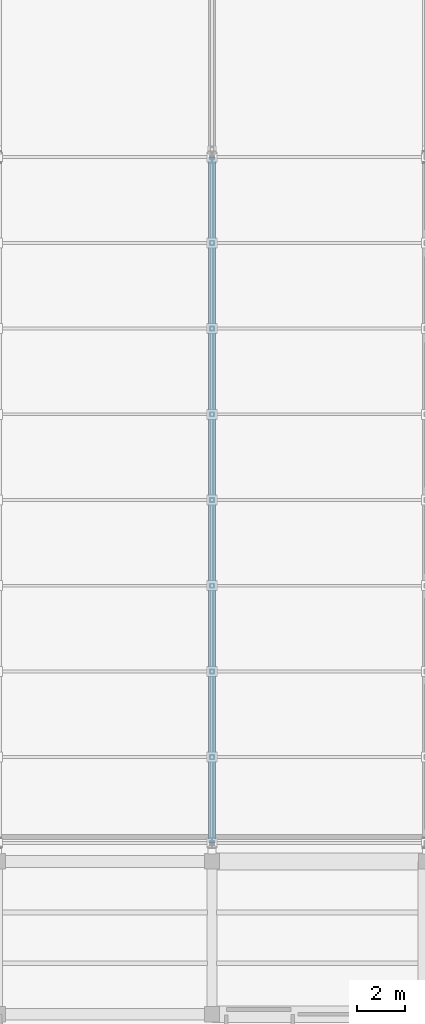
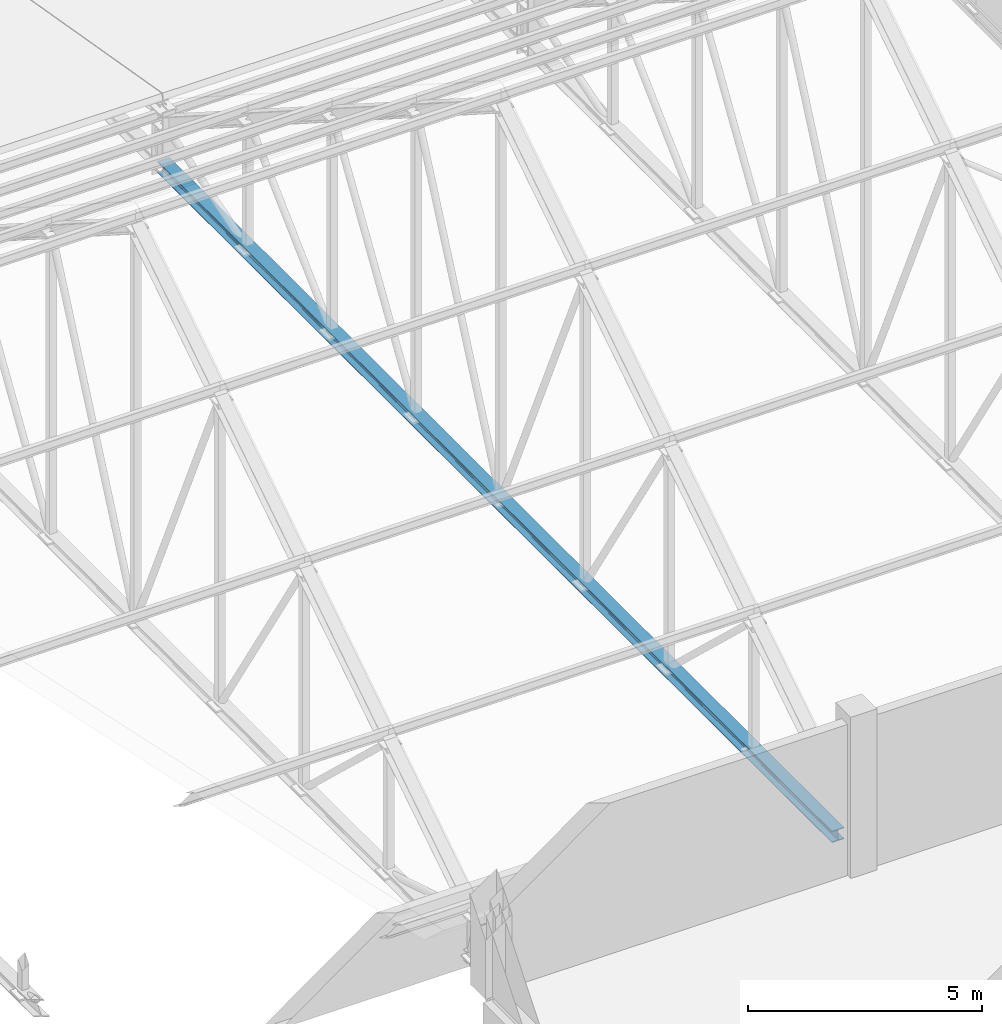
# One storey, part 111 of 182: 1 member.
"""IFC4 building model written with IfcOpenShell, lengths in metres."""

from ifc_helpers import new_model, si_unit, direction, frame, origin, origin_2d, place, context, subcontext, project, spatial, i_section, extrude, material, material_profile, profile_set, type_object, element, save


model = new_model("IFC4")

# Units and contexts
model_context = context("Model", 3, precision=1e-05, world=origin(), true_north=direction((0.0, 1.0)))
body_context = subcontext(model_context, "Body", "Model", "MODEL_VIEW")
ifc_project = project(units=[si_unit("LENGTHUNIT", "METRE"), si_unit("AREAUNIT", "SQUARE_METRE"), si_unit("VOLUMEUNIT", "CUBIC_METRE"), si_unit("PLANEANGLEUNIT", "RADIAN"), si_unit("MASSUNIT", "GRAM", prefix="KILO")], contexts=[model_context])

# Site, building, storey
site_placement = place(None, origin())
site = spatial("IfcSite", under=ifc_project, at=site_placement, CompositionType="ELEMENT")
building_placement = place(site_placement, origin())
building = spatial("IfcBuilding", under=site, at=building_placement, Name="Chiffa Square Polytechnic", CompositionType="ELEMENT")
storey_placement = place(building_placement, frame((0.0, 0.0, 9.60009765625)))
storey = spatial("IfcBuildingStorey", under=building, at=storey_placement, Name="L02", CompositionType="ELEMENT", Elevation=9.60009765625)

# Member
ifc_material = material(Name="Steel S355", Category="steel")
ifc_material_profile = material_profile(ifc_material, i_section(OverallWidth=0.300048828125, OverallDepth=0.300048828125, WebThickness=0.010986328125, FlangeThickness=0.01904296875, FilletRadius=0.027099609375, at=origin_2d()), Name="HEB 300")
ifc_profile_set = profile_set([ifc_material_profile], Name="Steel S355")
member_type = type_object("IfcMemberType", Name="MEM-CHORD-HEB300", PredefinedType="CHORD", material=ifc_profile_set)
member_placement = place(storey_placement, frame((157.199951171875, 58.199951171875, 0.349853515625), z_axis=(0.0, 1.0, 0.0), x_axis=(-1.0, 0.0, 0.0)))
element("IfcMember", 1, at=member_placement, inside=storey, type_object=member_type, Name="Workshop roof truss bottom chord TCB-V2-06", PredefinedType="CHORD", context=body_context, shape_type="SweptSolid", body=[
    extrude(i_section(OverallWidth=0.300048828125, OverallDepth=0.300048828125, WebThickness=0.010986328125, FlangeThickness=0.01904296875, FilletRadius=0.027099609375, at=origin_2d()), origin(), (0.0, 0.0, 1.0), 28.800048828125),
])

save(model, "model.ifc")
